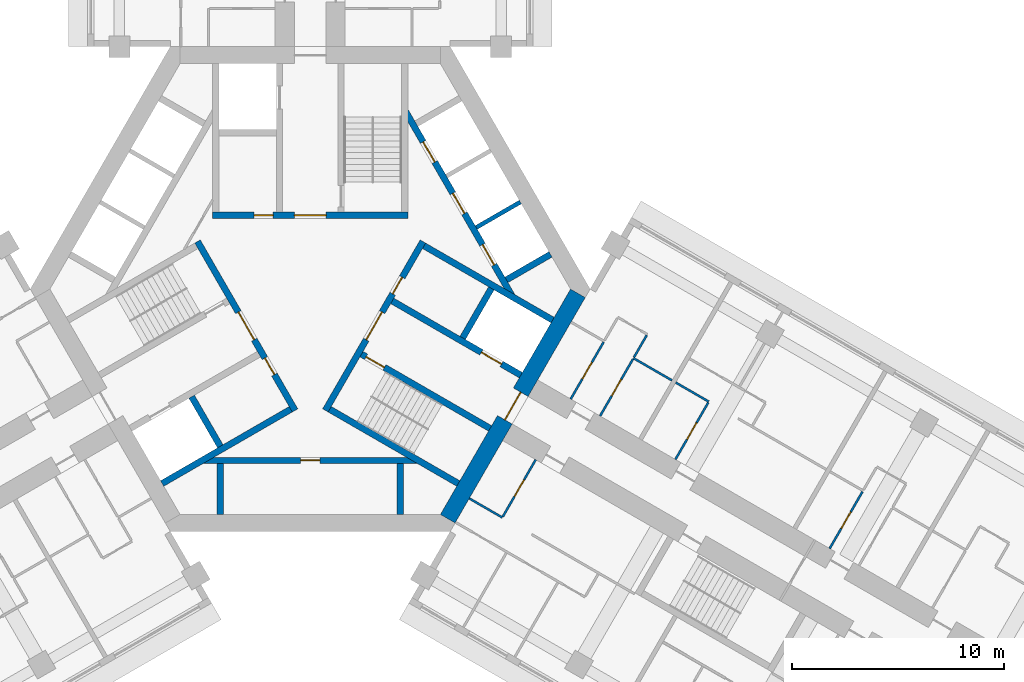
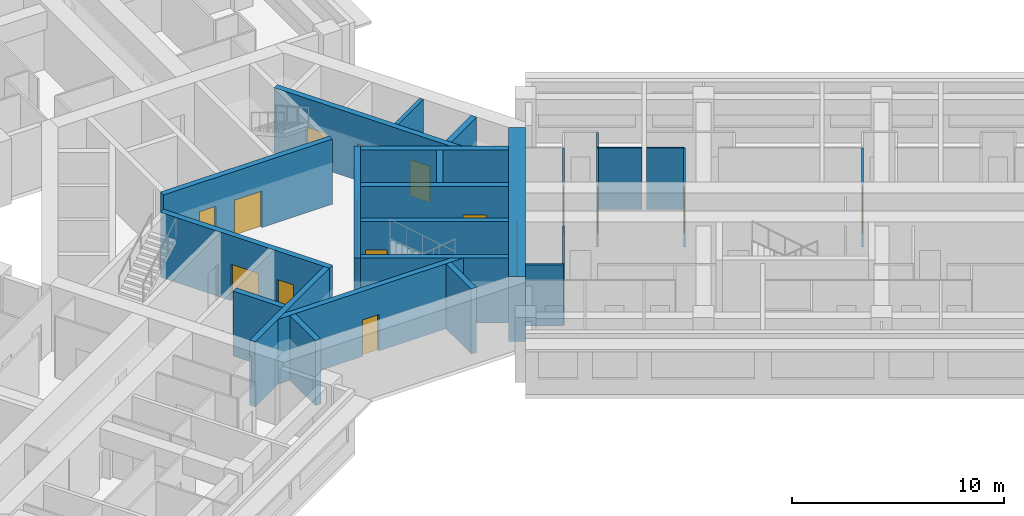
# One storey, part 7 of 14: 26 walls, 18 doors, 18 openings.
"""IFC4 building model written with IfcOpenShell, lengths in metres."""

from ifc_helpers import new_model, si_unit, direction, frame, frame_2d, origin, place, context, subcontext, project, spatial, rectangle, extrude, material, layer, layer_set, type_object, element, fill, save


model = new_model("IFC4")

# Units and contexts
model_context = context("Model", 3, precision=1e-05, world=origin(), true_north=direction((0.0, 1.0)))
body_context = subcontext(model_context, "Body", "Model", "MODEL_VIEW")
ifc_project = project(units=[si_unit("LENGTHUNIT", "METRE"), si_unit("AREAUNIT", "SQUARE_METRE"), si_unit("VOLUMEUNIT", "CUBIC_METRE"), si_unit("PLANEANGLEUNIT", "RADIAN"), si_unit("MASSUNIT", "GRAM", prefix="KILO")], contexts=[model_context])

# Site, building, storey
site_placement = place(None, origin())
site = spatial("IfcSite", under=ifc_project, at=site_placement, CompositionType="ELEMENT")
building_placement = place(site_placement, origin())
building = spatial("IfcBuilding", under=site, at=building_placement, Name="Impinga Residences", CompositionType="ELEMENT")
storey_placement = place(building_placement, frame((0.0, 0.0, 158.5)))
storey = spatial("IfcBuildingStorey", under=building, at=storey_placement, Name="L39", CompositionType="ELEMENT", Elevation=158.5)

# Walls
ifc_material_1 = material(Name="Gypsum board on steel studs", Category="steel")
ifc_layer_1 = layer(ifc_material_1, 0.10009765625)
ifc_layer_set_1 = layer_set([ifc_layer_1], Name="Gypsum board on steel studs")
wall_type_1 = type_object("IfcWallType", Name="IP1 partition 100", PredefinedType="PARTITIONING", material=ifc_layer_set_1)
wall_1_placement = place(storey_placement, frame((15.244384765625, -3.2587890625, 0.0), z_axis=(0.0, 0.0, 1.0), x_axis=(0.866038466041, -0.499977374825, 0.0)))
element("IfcWall", 1, at=wall_1_placement, inside=storey, type_object=wall_type_1, Name="Partition L39-EA1:DIV1", PredefinedType="PARTITIONING", context=body_context, shape_type="SweptSolid", body=[
    extrude(rectangle(XDim=2.10009765625, YDim=0.10009765625, at=frame_2d((1.050048828125, 0.0))), origin(), (0.0, 0.0, 1.0), 3.530029296875),
])
wall_2_placement = place(storey_placement, frame((15.26953125, -3.215576171875, 0.0), z_axis=(0.0, 0.0, 1.0), x_axis=(0.499880961361, 0.866094119867, 0.0)))
element("IfcWall", 2, at=wall_2_placement, inside=storey, type_object=wall_type_1, Name="Partition L39-EA1:SE1", PredefinedType="PARTITIONING", context=body_context, shape_type="SweptSolid", body=[
    extrude(rectangle(XDim=1.199951171875, YDim=0.10009765625, at=frame_2d((0.60009765625, 0.0))), origin(), (0.0, 0.0, 1.0), 3.530029296875),
])

# Wall, opening, door
wall_3_placement = place(storey_placement, frame((12.283935546875, -5.186767578125, 0.0), z_axis=(0.0, 0.0, 1.0), x_axis=(0.499967891604, 0.866043940782, 0.0)))
wall_3 = element("IfcWall", 3, at=wall_3_placement, inside=storey, type_object=wall_type_1, Name="Partition L39-EA1:IB1", PredefinedType="PARTITIONING", context=body_context, shape_type="SweptSolid", body=[
    extrude(rectangle(XDim=3.099853515625, YDim=0.10009765625, at=frame_2d((1.5498046875, 0.0))), origin(), (0.0, 0.0, 1.0), 3.530029296875),
])
opening_1_placement = place(wall_3_placement, frame((1.10009765625, 0.0, 0.0)))
opening_1 = element("IfcOpeningElement", 4, at=opening_1_placement, cuts=wall_3, Name="Opening D2", PredefinedType="OPENING", context=body_context, shape_type="SweptSolid", body=[
    extrude(rectangle(XDim=0.89990234375, YDim=2.10009765625, at=frame_2d((0.449951171875, 1.050048828125))), frame((0.0, 0.06005859375, 0.0), z_axis=(0.0, -1.0, 0.0), x_axis=(1.0, 0.0, 0.0)), (0.0, 0.0, 1.0), 0.1201171875),
])
ifc_material_2 = material(Name="Timber door set", Category="wood")
door_type_1 = type_object("IfcDoorType", Name="D2 internal door 900x2100", OperationType="SINGLE_SWING_LEFT", PredefinedType="DOOR", material=ifc_material_2)
door_1_placement = place(opening_1_placement, origin())
door_1 = element("IfcDoor", 5, at=door_1_placement, inside=storey, type_object=door_type_1, Name="Apartment L39-EA1 bathroom door", OperationType="SINGLE_SWING_LEFT", OverallHeight=2.10009765625, OverallWidth=0.89990234375, PredefinedType="DOOR", context=body_context, shape_type="SweptSolid", body=[
    extrude(rectangle(XDim=0.89990234375, YDim=2.10009765625, at=frame_2d((0.449951171875, 1.050048828125))), frame((0.0, 0.02490234375, 0.0), z_axis=(0.0, -1.0, 0.0), x_axis=(1.0, 0.0, 0.0)), (0.0, 0.0, 1.0), 0.050048828125),
])
fill(opening_1, door_1)

wall_4_placement = place(storey_placement, frame((13.66943359375, -5.98681640625, 0.0), z_axis=(0.0, 0.0, 1.0), x_axis=(0.500026960575, 0.86600983753, 0.0)))
wall_4 = element("IfcWall", 6, at=wall_4_placement, inside=storey, type_object=wall_type_1, Name="Partition L39-EA1:IB2", PredefinedType="PARTITIONING", context=body_context, shape_type="SweptSolid", body=[
    extrude(rectangle(XDim=3.099853515625, YDim=0.10009765625, at=frame_2d((1.5498046875, 0.0))), origin(), (0.0, 0.0, 1.0), 3.530029296875),
])
opening_2_placement = place(wall_4_placement, frame((1.10009765625, 0.0, 0.0)))
opening_2 = element("IfcOpeningElement", 7, at=opening_2_placement, cuts=wall_4, Name="Opening D2", PredefinedType="OPENING", context=body_context, shape_type="SweptSolid", body=[
    extrude(rectangle(XDim=0.89990234375, YDim=2.10009765625, at=frame_2d((0.449951171875, 1.050048828125))), frame((0.0, 0.06005859375, 0.0), z_axis=(0.0, -1.0, 0.0), x_axis=(1.0, 0.0, 0.0)), (0.0, 0.0, 1.0), 0.1201171875),
])
door_2_placement = place(opening_2_placement, origin())
door_2 = element("IfcDoor", 8, at=door_2_placement, inside=storey, type_object=door_type_1, Name="Apartment L39-EA1 WC door", OperationType="SINGLE_SWING_LEFT", OverallHeight=2.10009765625, OverallWidth=0.89990234375, PredefinedType="DOOR", context=body_context, shape_type="SweptSolid", body=[
    extrude(rectangle(XDim=0.89990234375, YDim=2.10009765625, at=frame_2d((0.449951171875, 1.050048828125))), frame((0.0, 0.02490234375, 0.0), z_axis=(0.0, -1.0, 0.0), x_axis=(1.0, 0.0, 0.0)), (0.0, 0.0, 1.0), 0.050048828125),
])
fill(opening_2, door_2)

# Wall
wall_5_placement = place(storey_placement, frame((17.236328125, -4.408935546875, 0.0), z_axis=(0.0, 0.0, 1.0), x_axis=(0.866047807691, -0.499961193289, 0.0)))
element("IfcWall", 9, at=wall_5_placement, inside=storey, type_object=wall_type_1, Name="Partition L39-EA2:DIV0", PredefinedType="PARTITIONING", context=body_context, shape_type="SweptSolid", body=[
    extrude(rectangle(XDim=1.800048828125, YDim=0.10009765625, at=frame_2d((0.89990234375, 0.0))), origin(), (0.0, 0.0, 1.0), 3.530029296875),
])

# Wall, opening, door
wall_6_placement = place(storey_placement, frame((17.22021484375, -8.036865234375, 0.0), z_axis=(0.0, 0.0, 1.0), x_axis=(0.49999285859, 0.86602952684, 0.0)))
wall_6 = element("IfcWall", 10, at=wall_6_placement, inside=storey, type_object=wall_type_1, Name="Partition L39-EA2:IB1", PredefinedType="PARTITIONING", context=body_context, shape_type="SweptSolid", body=[
    extrude(rectangle(XDim=3.10009765625, YDim=0.10009765625, at=frame_2d((1.550048828125, 0.0))), origin(), (0.0, 0.0, 1.0), 3.530029296875),
])
opening_3_placement = place(wall_6_placement, frame((1.10009765625, 0.0, 0.0)))
opening_3 = element("IfcOpeningElement", 11, at=opening_3_placement, cuts=wall_6, Name="Opening D2", PredefinedType="OPENING", context=body_context, shape_type="SweptSolid", body=[
    extrude(rectangle(XDim=0.89990234375, YDim=2.10009765625, at=frame_2d((0.449951171875, 1.050048828125))), frame((0.0, 0.06005859375, 0.0), z_axis=(0.0, -1.0, 0.0), x_axis=(1.0, 0.0, 0.0)), (0.0, 0.0, 1.0), 0.1201171875),
])
door_3_placement = place(opening_3_placement, origin())
door_3 = element("IfcDoor", 12, at=door_3_placement, inside=storey, type_object=door_type_1, Name="Apartment L39-EA2 bathroom door", OperationType="SINGLE_SWING_LEFT", OverallHeight=2.10009765625, OverallWidth=0.89990234375, PredefinedType="DOOR", context=body_context, shape_type="SweptSolid", body=[
    extrude(rectangle(XDim=0.89990234375, YDim=2.10009765625, at=frame_2d((0.449951171875, 1.050048828125))), frame((0.0, 0.02490234375, 0.0), z_axis=(0.0, -1.0, 0.0), x_axis=(1.0, 0.0, 0.0)), (0.0, 0.0, 1.0), 0.050048828125),
])
fill(opening_3, door_3)

wall_7_placement = place(storey_placement, frame((24.494873046875, -12.23681640625, 0.0), z_axis=(0.0, 0.0, 1.0), x_axis=(0.500026960575, 0.86600983753, 0.0)))
wall_7 = element("IfcWall", 13, at=wall_7_placement, inside=storey, type_object=wall_type_1, Name="Partition L39-EA3:IB1", PredefinedType="PARTITIONING", context=body_context, shape_type="SweptSolid", body=[
    extrude(rectangle(XDim=3.099853515625, YDim=0.10009765625, at=frame_2d((1.5498046875, 0.0))), origin(), (0.0, 0.0, 1.0), 3.530029296875),
])
opening_4_placement = place(wall_7_placement, frame((1.10009765625, 0.0, 0.0)))
opening_4 = element("IfcOpeningElement", 14, at=opening_4_placement, cuts=wall_7, Name="Opening D2", PredefinedType="OPENING", context=body_context, shape_type="SweptSolid", body=[
    extrude(rectangle(XDim=0.89990234375, YDim=2.10009765625, at=frame_2d((0.449951171875, 1.050048828125))), frame((0.0, 0.06005859375, 0.0), z_axis=(0.0, -1.0, 0.0), x_axis=(1.0, 0.0, 0.0)), (0.0, 0.0, 1.0), 0.1201171875),
])
door_4_placement = place(opening_4_placement, origin())
door_4 = element("IfcDoor", 15, at=door_4_placement, inside=storey, type_object=door_type_1, Name="Apartment L39-EA3 bathroom door", OperationType="SINGLE_SWING_LEFT", OverallHeight=2.10009765625, OverallWidth=0.89990234375, PredefinedType="DOOR", context=body_context, shape_type="SweptSolid", body=[
    extrude(rectangle(XDim=0.89990234375, YDim=2.10009765625, at=frame_2d((0.449951171875, 1.050048828125))), frame((0.0, 0.02490234375, 0.0), z_axis=(0.0, -1.0, 0.0), x_axis=(1.0, 0.0, 0.0)), (0.0, 0.0, 1.0), 0.050048828125),
])
fill(opening_4, door_4)

# Wall
wall_8_placement = place(storey_placement, frame((7.5, -9.872802734375, 0.0), z_axis=(0.0, 0.0, 1.0), x_axis=(0.866047807691, -0.499961193289, 0.0)))
element("IfcWall", 16, at=wall_8_placement, inside=storey, type_object=wall_type_1, Name="Partition L39-EF1:DIV0", PredefinedType="PARTITIONING", context=body_context, shape_type="SweptSolid", body=[
    extrude(rectangle(XDim=1.800048828125, YDim=0.10009765625, at=frame_2d((0.89990234375, 0.0))), origin(), (0.0, 0.0, 1.0), 3.530029296875),
])

# Wall, opening, door
wall_9_placement = place(storey_placement, frame((10.6337890625, -8.044677734375, 0.0), z_axis=(0.0, 0.0, 1.0), x_axis=(-0.49999285859, -0.86602952684, 0.0)))
wall_9 = element("IfcWall", 17, at=wall_9_placement, inside=storey, type_object=wall_type_1, Name="Partition L39-EF1:IB1", PredefinedType="PARTITIONING", context=body_context, shape_type="SweptSolid", body=[
    extrude(rectangle(XDim=3.10009765625, YDim=0.10009765625, at=frame_2d((1.550048828125, 0.0))), origin(), (0.0, 0.0, 1.0), 3.530029296875),
])
opening_5_placement = place(wall_9_placement, frame((1.10009765625, 0.0, 0.0)))
opening_5 = element("IfcOpeningElement", 18, at=opening_5_placement, cuts=wall_9, Name="Opening D2", PredefinedType="OPENING", context=body_context, shape_type="SweptSolid", body=[
    extrude(rectangle(XDim=0.89990234375, YDim=2.10009765625, at=frame_2d((0.449951171875, 1.050048828125))), frame((0.0, 0.06005859375, 0.0), z_axis=(0.0, -1.0, 0.0), x_axis=(1.0, 0.0, 0.0)), (0.0, 0.0, 1.0), 0.1201171875),
])
door_5_placement = place(opening_5_placement, origin())
door_5 = element("IfcDoor", 19, at=door_5_placement, inside=storey, type_object=door_type_1, Name="Apartment L39-EF1 bathroom door", OperationType="SINGLE_SWING_LEFT", OverallHeight=2.10009765625, OverallWidth=0.89990234375, PredefinedType="DOOR", context=body_context, shape_type="SweptSolid", body=[
    extrude(rectangle(XDim=0.89990234375, YDim=2.10009765625, at=frame_2d((0.449951171875, 1.050048828125))), frame((0.0, 0.02490234375, 0.0), z_axis=(0.0, -1.0, 0.0), x_axis=(1.0, 0.0, 0.0)), (0.0, 0.0, 1.0), 0.050048828125),
])
fill(opening_5, door_5)

ifc_material_3 = material(Name="Concrete C60/75", Category="concrete")
ifc_layer_2 = layer(ifc_material_3, 0.800048828125)
ifc_layer_set_2 = layer_set([ifc_layer_2], Name="Concrete C60/75")
wall_type_2 = type_object("IfcWallType", Name="SW2 core wall 800", PredefinedType="SHEAR", material=ifc_layer_set_2)
wall_10_placement = place(storey_placement, frame((12.62255859375, -0.199951171875, 0.0), z_axis=(0.0, 0.0, 1.0), x_axis=(-0.499986991068, -0.866032914365, 0.0)))
wall_10 = element("IfcWall", 20, at=wall_10_placement, inside=storey, type_object=wall_type_2, Name="Core wall SW2 E:FACE L39", PredefinedType="SHEAR", context=body_context, shape_type="SweptSolid", body=[
    extrude(rectangle(XDim=12.276123046875, YDim=0.800048828125, at=frame_2d((6.13818359375, 0.0))), origin(), (0.0, 0.0, 1.0), 3.75),
])
opening_6_placement = place(wall_10_placement, frame((5.38818359375, 0.0, 0.0)))
opening_6 = element("IfcOpeningElement", 21, at=opening_6_placement, cuts=wall_10, Name="Opening D4", PredefinedType="OPENING", context=body_context, shape_type="SweptSolid", body=[
    extrude(rectangle(XDim=1.5, YDim=2.10009765625, at=frame_2d((0.75, 1.050048828125))), frame((0.0, 0.409912109375, 0.0), z_axis=(0.0, -1.0, 0.0), x_axis=(1.0, 0.0, 0.0)), (0.0, 0.0, 1.0), 0.820068359375),
])
door_type_2 = type_object("IfcDoorType", Name="D4 lobby door pair 1500x2100", OperationType="DOUBLE_DOOR_DOUBLE_SWING", PredefinedType="DOOR", material=ifc_material_2)
door_6_placement = place(opening_6_placement, origin())
door_6 = element("IfcDoor", 22, at=door_6_placement, inside=storey, type_object=door_type_2, Name="Lobby door E", OperationType="DOUBLE_DOOR_DOUBLE_SWING", OverallHeight=2.10009765625, OverallWidth=1.5, PredefinedType="DOOR", context=body_context, shape_type="SweptSolid", body=[
    extrude(rectangle(XDim=1.5, YDim=2.10009765625, at=frame_2d((0.75, 1.050048828125))), frame((0.0, 0.02490234375, 0.0), z_axis=(0.0, -1.0, 0.0), x_axis=(1.0, 0.0, 0.0)), (0.0, 0.0, 1.0), 0.050048828125),
])
fill(opening_6, door_6)

# Wall, openings, doors
ifc_material_4 = material(Name="Concrete C70/85", Category="concrete")
ifc_layer_3 = layer(ifc_material_4, 0.300048828125)
ifc_layer_set_3 = layer_set([ifc_layer_3], Name="Concrete C70/85")
wall_type_3 = type_object("IfcWallType", Name="SW5 core inner wall, stairs, shafts and lobbies 300", PredefinedType="SHEAR", material=ifc_layer_set_3)
wall_11_placement = place(storey_placement, frame((-4.60009765625, 3.47998046875, 0.0), z_axis=(0.0, 0.0, 1.0), x_axis=(1.0, 0.0, 0.0)))
wall_11 = element("IfcWall", 23, at=wall_11_placement, inside=storey, type_object=wall_type_3, Name="Core wall SW5 N:ZONE L39", PredefinedType="SHEAR", context=body_context, shape_type="SweptSolid", body=[
    extrude(rectangle(XDim=9.2001953125, YDim=0.300048828125, at=frame_2d((4.60009765625, 0.0))), origin(), (0.0, 0.0, 1.0), 3.75),
])
opening_7_placement = place(wall_11_placement, frame((3.85009765625, 0.0, 0.0)))
opening_7 = element("IfcOpeningElement", 24, at=opening_7_placement, cuts=wall_11, Name="Opening D4", PredefinedType="OPENING", context=body_context, shape_type="SweptSolid", body=[
    extrude(rectangle(XDim=1.5, YDim=2.10009765625, at=frame_2d((0.75, 1.050048828125))), frame((0.0, 0.159912109375, 0.0), z_axis=(0.0, -1.0, 0.0), x_axis=(1.0, 0.0, 0.0)), (0.0, 0.0, 1.0), 0.320068359375),
])
opening_8_placement = place(wall_11_placement, frame((1.949951171875, 0.0, 0.0)))
opening_8 = element("IfcOpeningElement", 25, at=opening_8_placement, cuts=wall_11, Name="Opening D6", PredefinedType="OPENING", context=body_context, shape_type="SweptSolid", body=[
    extrude(rectangle(XDim=0.89990234375, YDim=2.10009765625, at=frame_2d((0.449951171875, 1.050048828125))), frame((0.0, 0.159912109375, 0.0), z_axis=(0.0, -1.0, 0.0), x_axis=(1.0, 0.0, 0.0)), (0.0, 0.0, 1.0), 0.320068359375),
])
door_7_placement = place(opening_7_placement, origin())
door_7 = element("IfcDoor", 26, at=door_7_placement, inside=storey, type_object=door_type_2, Name="Firefighting lobby door N", OperationType="DOUBLE_DOOR_DOUBLE_SWING", OverallHeight=2.10009765625, OverallWidth=1.5, PredefinedType="DOOR", context=body_context, shape_type="SweptSolid", body=[
    extrude(rectangle(XDim=1.5, YDim=2.10009765625, at=frame_2d((0.75, 1.050048828125))), frame((0.0, 0.02490234375, 0.0), z_axis=(0.0, -1.0, 0.0), x_axis=(1.0, 0.0, 0.0)), (0.0, 0.0, 1.0), 0.050048828125),
])
fill(opening_7, door_7)
door_type_3 = type_object("IfcDoorType", Name="D6 riser and store door 900x2100", OperationType="SINGLE_SWING_LEFT", PredefinedType="DOOR", material=ifc_material_2)
door_8_placement = place(opening_8_placement, origin())
door_8 = element("IfcDoor", 27, at=door_8_placement, inside=storey, type_object=door_type_3, Name="Riser door N", OperationType="SINGLE_SWING_LEFT", OverallHeight=2.10009765625, OverallWidth=0.89990234375, PredefinedType="DOOR", context=body_context, shape_type="SweptSolid", body=[
    extrude(rectangle(XDim=0.89990234375, YDim=2.10009765625, at=frame_2d((0.449951171875, 1.050048828125))), frame((0.0, 0.02490234375, 0.0), z_axis=(0.0, -1.0, 0.0), x_axis=(1.0, 0.0, 0.0)), (0.0, 0.0, 1.0), 0.050048828125),
])
fill(opening_8, door_8)

wall_12_placement = place(storey_placement, frame((-0.7138671875, -5.7236328125, 0.0), z_axis=(0.0, 0.0, 1.0), x_axis=(-0.499995050369, 0.866028261437, 0.0)))
wall_12 = element("IfcWall", 28, at=wall_12_placement, inside=storey, type_object=wall_type_3, Name="Core wall SW5 W:ZONE L39", PredefinedType="SHEAR", context=body_context, shape_type="SweptSolid", body=[
    extrude(rectangle(XDim=9.19970703125, YDim=0.300048828125, at=frame_2d((4.599853515625, 0.0))), origin(), (0.0, 0.0, 1.0), 3.75),
])
opening_9_placement = place(wall_12_placement, frame((3.85009765625, 0.0, 0.0)))
opening_9 = element("IfcOpeningElement", 29, at=opening_9_placement, cuts=wall_12, Name="Opening D4", PredefinedType="OPENING", context=body_context, shape_type="SweptSolid", body=[
    extrude(rectangle(XDim=1.5, YDim=2.10009765625, at=frame_2d((0.75, 1.050048828125))), frame((0.0, 0.159912109375, 0.0), z_axis=(0.0, -1.0, 0.0), x_axis=(1.0, 0.0, 0.0)), (0.0, 0.0, 1.0), 0.320068359375),
])
opening_10_placement = place(wall_12_placement, frame((1.949951171875, 0.0, 0.0)))
opening_10 = element("IfcOpeningElement", 30, at=opening_10_placement, cuts=wall_12, Name="Opening D6", PredefinedType="OPENING", context=body_context, shape_type="SweptSolid", body=[
    extrude(rectangle(XDim=0.89990234375, YDim=2.10009765625, at=frame_2d((0.449951171875, 1.050048828125))), frame((0.0, 0.159912109375, 0.0), z_axis=(0.0, -1.0, 0.0), x_axis=(1.0, 0.0, 0.0)), (0.0, 0.0, 1.0), 0.320068359375),
])
door_9_placement = place(opening_9_placement, origin())
door_9 = element("IfcDoor", 31, at=door_9_placement, inside=storey, type_object=door_type_2, Name="Firefighting lobby door W", OperationType="DOUBLE_DOOR_DOUBLE_SWING", OverallHeight=2.10009765625, OverallWidth=1.5, PredefinedType="DOOR", context=body_context, shape_type="SweptSolid", body=[
    extrude(rectangle(XDim=1.5, YDim=2.10009765625, at=frame_2d((0.75, 1.050048828125))), frame((0.0, 0.02490234375, 0.0), z_axis=(0.0, -1.0, 0.0), x_axis=(1.0, 0.0, 0.0)), (0.0, 0.0, 1.0), 0.050048828125),
])
fill(opening_9, door_9)
door_10_placement = place(opening_10_placement, origin())
door_10 = element("IfcDoor", 32, at=door_10_placement, inside=storey, type_object=door_type_3, Name="Riser door W", OperationType="SINGLE_SWING_LEFT", OverallHeight=2.10009765625, OverallWidth=0.89990234375, PredefinedType="DOOR", context=body_context, shape_type="SweptSolid", body=[
    extrude(rectangle(XDim=0.89990234375, YDim=2.10009765625, at=frame_2d((0.449951171875, 1.050048828125))), frame((0.0, 0.02490234375, 0.0), z_axis=(0.0, -1.0, 0.0), x_axis=(1.0, 0.0, 0.0)), (0.0, 0.0, 1.0), 0.050048828125),
])
fill(opening_10, door_10)

# Walls
wall_13_placement = place(storey_placement, frame((-0.918701171875, -5.668701171875, 0.0), z_axis=(0.0, 0.0, 1.0), x_axis=(-0.866011380966, -0.500024287448, 0.0)))
element("IfcWall", 33, at=wall_13_placement, inside=storey, type_object=wall_type_3, Name="Core wall SW5 W:FF-OUT L39", PredefinedType="SHEAR", context=body_context, shape_type="SweptSolid", body=[
    extrude(rectangle(XDim=7.001708984375, YDim=0.300048828125, at=frame_2d((3.5009765625, 0.0))), origin(), (0.0, 0.0, 1.0), 3.75),
])
wall_14_placement = place(storey_placement, frame((-4.2412109375, -7.413818359375, 0.0), z_axis=(0.0, 0.0, 1.0), x_axis=(-0.500048589285, 0.86599734893, 0.0)))
element("IfcWall", 34, at=wall_14_placement, inside=storey, type_object=wall_type_3, Name="Core wall SW5 W:FF-RS L39", PredefinedType="SHEAR", context=body_context, shape_type="SweptSolid", body=[
    extrude(rectangle(XDim=2.699951171875, YDim=0.300048828125, at=frame_2d((1.35009765625, 0.0))), origin(), (0.0, 0.0, 1.0), 3.75),
])

# Wall, openings, doors
wall_15_placement = place(storey_placement, frame((5.313720703125, 2.24365234375, 0.0), z_axis=(0.0, 0.0, 1.0), x_axis=(-0.499995050369, -0.866028261437, 0.0)))
wall_15 = element("IfcWall", 35, at=wall_15_placement, inside=storey, type_object=wall_type_3, Name="Core wall SW5 E:ZONE L39", PredefinedType="SHEAR", context=body_context, shape_type="SweptSolid", body=[
    extrude(rectangle(XDim=9.19970703125, YDim=0.300048828125, at=frame_2d((4.599853515625, 0.0))), origin(), (0.0, 0.0, 1.0), 3.75),
])
opening_11_placement = place(wall_15_placement, frame((3.85009765625, 0.0, 0.0)))
opening_11 = element("IfcOpeningElement", 36, at=opening_11_placement, cuts=wall_15, Name="Opening D4", PredefinedType="OPENING", context=body_context, shape_type="SweptSolid", body=[
    extrude(rectangle(XDim=1.5, YDim=2.10009765625, at=frame_2d((0.75, 1.050048828125))), frame((0.0, 0.159912109375, 0.0), z_axis=(0.0, -1.0, 0.0), x_axis=(1.0, 0.0, 0.0)), (0.0, 0.0, 1.0), 0.320068359375),
])
opening_12_placement = place(wall_15_placement, frame((1.949951171875, 0.0, 0.0)))
opening_12 = element("IfcOpeningElement", 37, at=opening_12_placement, cuts=wall_15, Name="Opening D6", PredefinedType="OPENING", context=body_context, shape_type="SweptSolid", body=[
    extrude(rectangle(XDim=0.89990234375, YDim=2.10009765625, at=frame_2d((0.449951171875, 1.050048828125))), frame((0.0, 0.159912109375, 0.0), z_axis=(0.0, -1.0, 0.0), x_axis=(1.0, 0.0, 0.0)), (0.0, 0.0, 1.0), 0.320068359375),
])
door_11_placement = place(opening_11_placement, origin())
door_11 = element("IfcDoor", 38, at=door_11_placement, inside=storey, type_object=door_type_2, Name="Firefighting lobby door E", OperationType="DOUBLE_DOOR_DOUBLE_SWING", OverallHeight=2.10009765625, OverallWidth=1.5, PredefinedType="DOOR", context=body_context, shape_type="SweptSolid", body=[
    extrude(rectangle(XDim=1.5, YDim=2.10009765625, at=frame_2d((0.75, 1.050048828125))), frame((0.0, 0.02490234375, 0.0), z_axis=(0.0, -1.0, 0.0), x_axis=(1.0, 0.0, 0.0)), (0.0, 0.0, 1.0), 0.050048828125),
])
fill(opening_11, door_11)
door_12_placement = place(opening_12_placement, origin())
door_12 = element("IfcDoor", 39, at=door_12_placement, inside=storey, type_object=door_type_3, Name="Riser door E", OperationType="SINGLE_SWING_LEFT", OverallHeight=2.10009765625, OverallWidth=0.89990234375, PredefinedType="DOOR", context=body_context, shape_type="SweptSolid", body=[
    extrude(rectangle(XDim=0.89990234375, YDim=2.10009765625, at=frame_2d((0.449951171875, 1.050048828125))), frame((0.0, 0.02490234375, 0.0), z_axis=(0.0, -1.0, 0.0), x_axis=(1.0, 0.0, 0.0)), (0.0, 0.0, 1.0), 0.050048828125),
])
fill(opening_12, door_12)

# Wall, opening, door
wall_16_placement = place(storey_placement, frame((2.418701171875, -3.07080078125, 0.0), z_axis=(0.0, 0.0, 1.0), x_axis=(0.866026480128, -0.499998135713, 0.0)))
wall_16 = element("IfcWall", 40, at=wall_16_placement, inside=storey, type_object=wall_type_3, Name="Core wall SW5 E:ST-IN L39", PredefinedType="SHEAR", context=body_context, shape_type="SweptSolid", body=[
    extrude(rectangle(XDim=7.00146484375, YDim=0.300048828125, at=frame_2d((3.500732421875, 0.0))), origin(), (0.0, 0.0, 1.0), 3.75),
])
opening_13_placement = place(wall_16_placement, frame((0.25, 0.0, 0.0)))
opening_13 = element("IfcOpeningElement", 41, at=opening_13_placement, cuts=wall_16, Name="Opening D5", PredefinedType="OPENING", context=body_context, shape_type="SweptSolid", body=[
    extrude(rectangle(XDim=1.0, YDim=2.10009765625, at=frame_2d((0.5, 1.050048828125))), frame((0.0, 0.159912109375, 0.0), z_axis=(0.0, -1.0, 0.0), x_axis=(1.0, 0.0, 0.0)), (0.0, 0.0, 1.0), 0.320068359375),
])
door_type_4 = type_object("IfcDoorType", Name="D5 stair door 1000x2100", OperationType="SINGLE_SWING_LEFT", PredefinedType="DOOR", material=ifc_material_2)
door_13_placement = place(opening_13_placement, origin())
door_13 = element("IfcDoor", 42, at=door_13_placement, inside=storey, type_object=door_type_4, Name="Stair door E", OperationType="SINGLE_SWING_LEFT", OverallHeight=2.10009765625, OverallWidth=1.0, PredefinedType="DOOR", context=body_context, shape_type="SweptSolid", body=[
    extrude(rectangle(XDim=1.0, YDim=2.10009765625, at=frame_2d((0.5, 1.050048828125))), frame((0.0, 0.02490234375, 0.0), z_axis=(0.0, -1.0, 0.0), x_axis=(1.0, 0.0, 0.0)), (0.0, 0.0, 1.0), 0.050048828125),
])
fill(opening_13, door_13)

# Wall
wall_17_placement = place(storey_placement, frame((0.918701171875, -5.668701171875, 0.0), z_axis=(0.0, 0.0, 1.0), x_axis=(0.866011380966, -0.500024287448, 0.0)))
element("IfcWall", 43, at=wall_17_placement, inside=storey, type_object=wall_type_3, Name="Core wall SW5 E:ST-OUT L39", PredefinedType="SHEAR", context=body_context, shape_type="SweptSolid", body=[
    extrude(rectangle(XDim=7.001708984375, YDim=0.300048828125, at=frame_2d((3.5009765625, 0.0))), origin(), (0.0, 0.0, 1.0), 3.75),
])

# Wall, opening, door
wall_18_placement = place(storey_placement, frame((3.86865234375, -0.559326171875, 0.0), z_axis=(0.0, 0.0, 1.0), x_axis=(0.866026480128, -0.499998135713, 0.0)))
wall_18 = element("IfcWall", 44, at=wall_18_placement, inside=storey, type_object=wall_type_3, Name="Core wall SW5 E:FF-IN L39", PredefinedType="SHEAR", context=body_context, shape_type="SweptSolid", body=[
    extrude(rectangle(XDim=7.00146484375, YDim=0.300048828125, at=frame_2d((3.500732421875, 0.0))), origin(), (0.0, 0.0, 1.0), 3.75),
])
opening_14_placement = place(wall_18_placement, frame((4.85009765625, 0.0, 0.0)))
opening_14 = element("IfcOpeningElement", 45, at=opening_14_placement, cuts=wall_18, Name="Opening LD2", PredefinedType="OPENING", context=body_context, shape_type="SweptSolid", body=[
    extrude(rectangle(XDim=1.10009765625, YDim=2.10009765625, at=frame_2d((0.550048828125, 1.050048828125))), frame((0.0, 0.159912109375, 0.0), z_axis=(0.0, -1.0, 0.0), x_axis=(1.0, 0.0, 0.0)), (0.0, 0.0, 1.0), 0.320068359375),
])
ifc_material_5 = material(Name="Steel lift landing door", Category="steel")
door_type_5 = type_object("IfcDoorType", Name="LD2 firefighting lift landing door 1100x2100", OperationType="DOUBLE_DOOR_SLIDING", PredefinedType="DOOR", material=ifc_material_5)
door_14_placement = place(opening_14_placement, origin())
door_14 = element("IfcDoor", 46, at=door_14_placement, inside=storey, type_object=door_type_5, Name="Firefighting lift landing door F3", OperationType="DOUBLE_DOOR_SLIDING", OverallHeight=2.10009765625, OverallWidth=1.10009765625, PredefinedType="DOOR", context=body_context, shape_type="SweptSolid", body=[
    extrude(rectangle(XDim=1.10009765625, YDim=2.10009765625, at=frame_2d((0.550048828125, 1.050048828125))), frame((0.0, 0.02490234375, 0.0), z_axis=(0.0, -1.0, 0.0), x_axis=(1.0, 0.0, 0.0)), (0.0, 0.0, 1.0), 0.050048828125),
])
fill(opening_14, door_14)

# Walls
wall_19_placement = place(storey_placement, frame((5.36865234375, 2.038818359375, 0.0), z_axis=(0.0, 0.0, 1.0), x_axis=(0.866026480128, -0.499998135713, 0.0)))
element("IfcWall", 47, at=wall_19_placement, inside=storey, type_object=wall_type_3, Name="Core wall SW5 E:FF-OUT L39", PredefinedType="SHEAR", context=body_context, shape_type="SweptSolid", body=[
    extrude(rectangle(XDim=7.00146484375, YDim=0.300048828125, at=frame_2d((3.500732421875, 0.0))), origin(), (0.0, 0.0, 1.0), 3.75),
])
wall_20_placement = place(storey_placement, frame((8.541259765625, 0.033935546875, 0.0), z_axis=(0.0, 0.0, 1.0), x_axis=(-0.50000943426, -0.866019956843, 0.0)))
element("IfcWall", 48, at=wall_20_placement, inside=storey, type_object=wall_type_3, Name="Core wall SW5 E:FF-RS L39", PredefinedType="SHEAR", context=body_context, shape_type="SweptSolid", body=[
    extrude(rectangle(XDim=2.7001953125, YDim=0.300048828125, at=frame_2d((1.35009765625, 0.0))), origin(), (0.0, 0.0, 1.0), 3.75),
])

# Wall, opening, door
wall_21_placement = place(storey_placement, frame((5.09765625, -8.08154296875, 0.0), z_axis=(0.0, 0.0, 1.0), x_axis=(-1.0, 0.0, 0.0)))
wall_21 = element("IfcWall", 49, at=wall_21_placement, inside=storey, type_object=wall_type_3, Name="Core wall SW5 N:BANK-FRONT L39", PredefinedType="SHEAR", context=body_context, shape_type="SweptSolid", body=[
    extrude(rectangle(XDim=10.1953125, YDim=0.300048828125, at=frame_2d((5.09765625, 0.0))), origin(), (0.0, 0.0, 1.0), 3.75),
])
opening_15_placement = place(wall_21_placement, frame((4.647705078125, 0.0, 0.0)))
opening_15 = element("IfcOpeningElement", 50, at=opening_15_placement, cuts=wall_21, Name="Opening D6", PredefinedType="OPENING", context=body_context, shape_type="SweptSolid", body=[
    extrude(rectangle(XDim=0.89990234375, YDim=2.10009765625, at=frame_2d((0.449951171875, 1.050048828125))), frame((0.0, 0.159912109375, 0.0), z_axis=(0.0, -1.0, 0.0), x_axis=(1.0, 0.0, 0.0)), (0.0, 0.0, 1.0), 0.320068359375),
])
door_15_placement = place(opening_15_placement, origin())
door_15 = element("IfcDoor", 51, at=door_15_placement, inside=storey, type_object=door_type_3, Name="Residents' parcel room door", OperationType="SINGLE_SWING_LEFT", OverallHeight=2.10009765625, OverallWidth=0.89990234375, PredefinedType="DOOR", context=body_context, shape_type="SweptSolid", body=[
    extrude(rectangle(XDim=0.89990234375, YDim=2.10009765625, at=frame_2d((0.449951171875, 1.050048828125))), frame((0.0, 0.02490234375, 0.0), z_axis=(0.0, -1.0, 0.0), x_axis=(1.0, 0.0, 0.0)), (0.0, 0.0, 1.0), 0.050048828125),
])
fill(opening_15, door_15)

# Walls
for number, where, z_axis, x_axis, name in (
    (52, (4.25, -8.2314453125, 0.0), (0.0, 0.0, 1.0), (0.0, -1.0, 0.0), "Core wall SW5 N:BANK-L L39"),
    (53, (-4.25, -8.2314453125, 0.0), (0.0, 0.0, 1.0), (0.0, -1.0, 0.0), "Core wall SW5 N:BANK-R L39"),
):
    element("IfcWall", number, at=place(storey_placement, frame(where, z_axis=z_axis, x_axis=x_axis)), inside=storey, type_object=wall_type_3, Name=name, PredefinedType="SHEAR", context=body_context, shape_type="SweptSolid", body=[
        extrude(rectangle(XDim=2.400146484375, YDim=0.300048828125, at=frame_2d((1.2001953125, 0.0))), origin(), (0.0, 0.0, 1.0), 3.75),
    ])

# Wall, openings, doors
wall_22_placement = place(storey_placement, frame((4.449951171875, 8.455322265625, 0.0), z_axis=(0.0, 0.0, 1.0), x_axis=(0.500002290144, -0.866024081565, 0.0)))
wall_22 = element("IfcWall", 54, at=wall_22_placement, inside=storey, type_object=wall_type_3, Name="Core wall SW5 W:BANK-FRONT L39", PredefinedType="SHEAR", context=body_context, shape_type="SweptSolid", body=[
    extrude(rectangle(XDim=10.1953125, YDim=0.300048828125, at=frame_2d((5.09765625, 0.0))), origin(), (0.0, 0.0, 1.0), 3.75),
])
opening_16_placement = place(wall_22_placement, frame((1.74755859375, 0.0, 0.0)))
opening_16 = element("IfcOpeningElement", 55, at=opening_16_placement, cuts=wall_22, Name="Opening LD1", PredefinedType="OPENING", context=body_context, shape_type="SweptSolid", body=[
    extrude(rectangle(XDim=1.10009765625, YDim=2.10009765625, at=frame_2d((0.550048828125, 1.050048828125))), frame((0.0, 0.159912109375, 0.0), z_axis=(0.0, -1.0, 0.0), x_axis=(1.0, 0.0, 0.0)), (0.0, 0.0, 1.0), 0.320068359375),
])
opening_17_placement = place(wall_22_placement, frame((4.547607421875, 0.0, 0.0)))
opening_17 = element("IfcOpeningElement", 56, at=opening_17_placement, cuts=wall_22, Name="Opening LD1", PredefinedType="OPENING", context=body_context, shape_type="SweptSolid", body=[
    extrude(rectangle(XDim=1.10009765625, YDim=2.10009765625, at=frame_2d((0.550048828125, 1.050048828125))), frame((0.0, 0.159912109375, 0.0), z_axis=(0.0, -1.0, 0.0), x_axis=(1.0, 0.0, 0.0)), (0.0, 0.0, 1.0), 0.320068359375),
])
opening_18_placement = place(wall_22_placement, frame((7.34765625, 0.0, 0.0)))
opening_18 = element("IfcOpeningElement", 57, at=opening_18_placement, cuts=wall_22, Name="Opening LD1", PredefinedType="OPENING", context=body_context, shape_type="SweptSolid", body=[
    extrude(rectangle(XDim=1.10009765625, YDim=2.10009765625, at=frame_2d((0.550048828125, 1.050048828125))), frame((0.0, 0.159912109375, 0.0), z_axis=(0.0, -1.0, 0.0), x_axis=(1.0, 0.0, 0.0)), (0.0, 0.0, 1.0), 0.320068359375),
])
door_type_6 = type_object("IfcDoorType", Name="LD1 passenger lift landing door 1100x2100", OperationType="DOUBLE_DOOR_SLIDING", PredefinedType="DOOR", material=ifc_material_5)
door_16_placement = place(opening_16_placement, origin())
door_16 = element("IfcDoor", 58, at=door_16_placement, inside=storey, type_object=door_type_6, Name="Lift landing door P4", OperationType="DOUBLE_DOOR_SLIDING", OverallHeight=2.10009765625, OverallWidth=1.10009765625, PredefinedType="DOOR", context=body_context, shape_type="SweptSolid", body=[
    extrude(rectangle(XDim=1.10009765625, YDim=2.10009765625, at=frame_2d((0.550048828125, 1.050048828125))), frame((0.0, 0.02490234375, 0.0), z_axis=(0.0, -1.0, 0.0), x_axis=(1.0, 0.0, 0.0)), (0.0, 0.0, 1.0), 0.050048828125),
])
fill(opening_16, door_16)
door_17_placement = place(opening_17_placement, origin())
door_17 = element("IfcDoor", 59, at=door_17_placement, inside=storey, type_object=door_type_6, Name="Lift landing door P5", OperationType="DOUBLE_DOOR_SLIDING", OverallHeight=2.10009765625, OverallWidth=1.10009765625, PredefinedType="DOOR", context=body_context, shape_type="SweptSolid", body=[
    extrude(rectangle(XDim=1.10009765625, YDim=2.10009765625, at=frame_2d((0.550048828125, 1.050048828125))), frame((0.0, 0.02490234375, 0.0), z_axis=(0.0, -1.0, 0.0), x_axis=(1.0, 0.0, 0.0)), (0.0, 0.0, 1.0), 0.050048828125),
])
fill(opening_17, door_17)
door_18_placement = place(opening_18_placement, origin())
door_18 = element("IfcDoor", 60, at=door_18_placement, inside=storey, type_object=door_type_6, Name="Lift landing door P6", OperationType="DOUBLE_DOOR_SLIDING", OverallHeight=2.10009765625, OverallWidth=1.10009765625, PredefinedType="DOOR", context=body_context, shape_type="SweptSolid", body=[
    extrude(rectangle(XDim=1.10009765625, YDim=2.10009765625, at=frame_2d((0.550048828125, 1.050048828125))), frame((0.0, 0.02490234375, 0.0), z_axis=(0.0, -1.0, 0.0), x_axis=(1.0, 0.0, 0.0)), (0.0, 0.0, 1.0), 0.050048828125),
])
fill(opening_18, door_18)

# Walls
wall_23_placement = place(storey_placement, frame((9.253662109375, 0.43505859375, 0.0), z_axis=(0.0, 0.0, 1.0), x_axis=(0.866006032174, 0.500033551112, 0.0)))
element("IfcWall", 61, at=wall_23_placement, inside=storey, type_object=wall_type_3, Name="Core wall SW5 W:BANK-R L39", PredefinedType="SHEAR", context=body_context, shape_type="SweptSolid", body=[
    extrude(rectangle(XDim=2.400146484375, YDim=0.300048828125, at=frame_2d((1.2001953125, 0.0))), origin(), (0.0, 0.0, 1.0), 3.75),
])
ifc_layer_4 = layer(ifc_material_4, 0.199951171875)
ifc_layer_set_4 = layer_set([ifc_layer_4], Name="Concrete C70/85")
wall_type_4 = type_object("IfcWallType", Name="SW6 lift shaft divider wall 200", PredefinedType="SHEAR", material=ifc_layer_set_4)
wall_24_placement = place(storey_placement, frame((7.82861328125, 2.9033203125, 0.0), z_axis=(0.0, 0.0, 1.0), x_axis=(0.866050077142, 0.499957262057, 0.0)))
element("IfcWall", 62, at=wall_24_placement, inside=storey, type_object=wall_type_4, Name="Core wall SW6 W:BANK-D2 L39", PredefinedType="SHEAR", context=body_context, shape_type="SweptSolid", body=[
    extrude(rectangle(XDim=2.400146484375, YDim=0.199951171875, at=frame_2d((1.2001953125, 0.0))), origin(), (0.0, 0.0, 1.0), 3.75),
])

save(model, "model.ifc")
